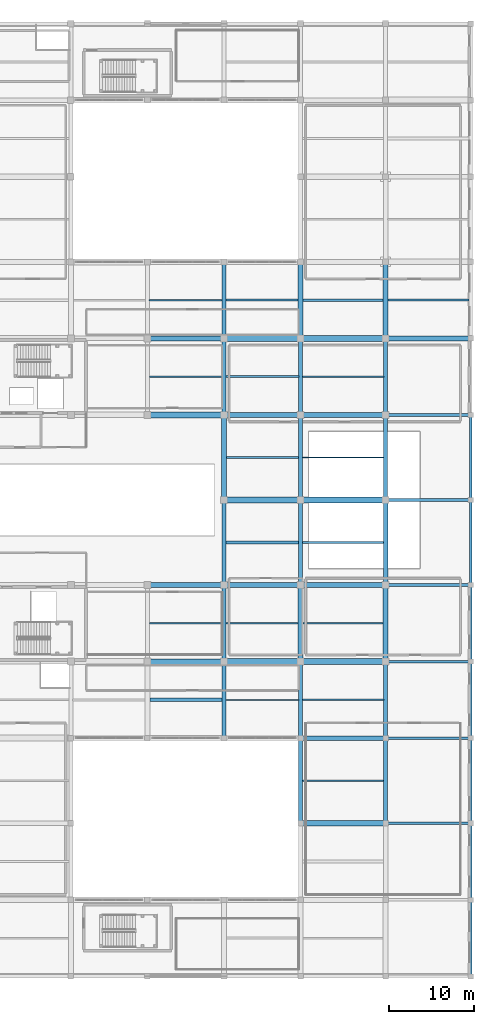
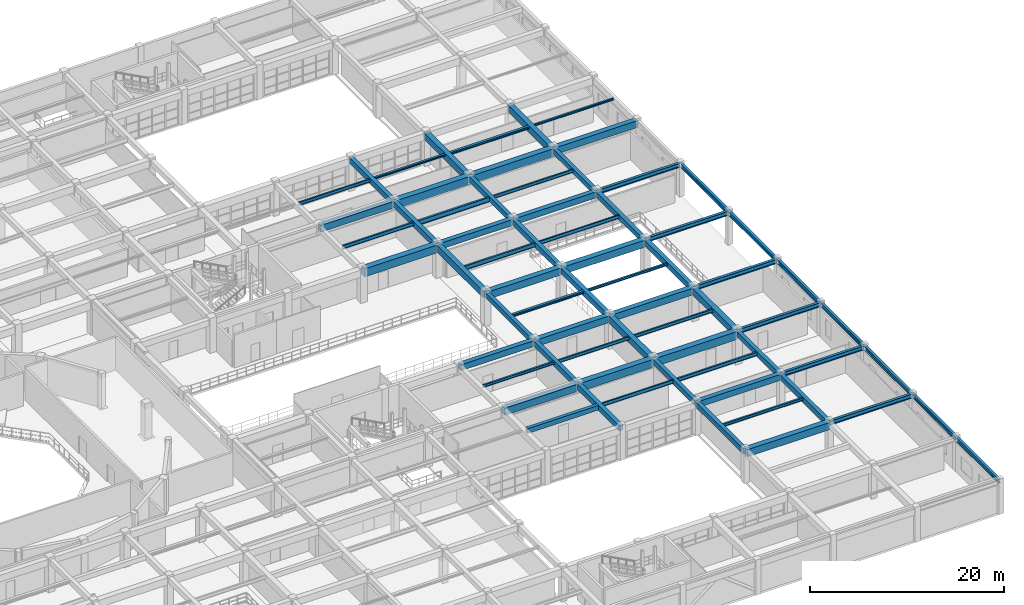
# One storey, part 82 of 133: 68 beams.
"""IFC4 building model written with IfcOpenShell, lengths in metres."""

from ifc_helpers import new_model, si_unit, direction, frame, origin, origin_2d, place, context, subcontext, project, spatial, rectangle, i_section, extrude, material, material_profile, profile_set, type_object, element, save


model = new_model("IFC4")

# Units and contexts
model_context = context("Model", 3, precision=1e-05, world=origin(), true_north=direction((0.0, 1.0)))
body_context = subcontext(model_context, "Body", "Model", "MODEL_VIEW")
ifc_project = project(units=[si_unit("LENGTHUNIT", "METRE"), si_unit("AREAUNIT", "SQUARE_METRE"), si_unit("VOLUMEUNIT", "CUBIC_METRE"), si_unit("PLANEANGLEUNIT", "RADIAN"), si_unit("MASSUNIT", "GRAM", prefix="KILO")], contexts=[model_context])

# Site, building, storey
site_placement = place(None, origin())
site = spatial("IfcSite", under=ifc_project, at=site_placement, CompositionType="ELEMENT")
building_placement = place(site_placement, origin())
building = spatial("IfcBuilding", under=site, at=building_placement, Name="Miravela Opera House", CompositionType="ELEMENT")
storey_placement = place(building_placement, frame((0.0, 0.0, 5.10009765625)))
storey = spatial("IfcBuildingStorey", under=building, at=storey_placement, Name="L01", CompositionType="ELEMENT", Elevation=5.10009765625)

# Beams
ifc_material_1 = material(Name="Concrete C35/45", Category="concrete")
ifc_material_profile_1 = material_profile(ifc_material_1, rectangle(XDim=0.39990234375, YDim=0.60009765625, at=origin_2d()), Name="RC-BM-400X600")
ifc_profile_set_1 = profile_set([ifc_material_profile_1])
beam_type_1 = type_object("IfcBeamType", Name="STR-BM-RC400X600", PredefinedType="JOIST", material=ifc_profile_set_1)
beam_1_placement = place(storey_placement, frame((126.284912109375, 32.5, 3.85986328125), z_axis=(1.0, 0.0, 0.0), x_axis=(0.0, 1.0, 0.0)))
element("IfcBeam", 1, at=beam_1_placement, inside=storey, type_object=beam_type_1, Name="Secondary Floor Joist L01 15-16/D-E", PredefinedType="JOIST", context=body_context, shape_type="SweptSolid", body=[
    extrude(rectangle(XDim=0.39990234375, YDim=0.60009765625, at=origin_2d()), origin(), (0.0, 0.0, 1.0), 8.47998046875),
])
ifc_material_profile_2 = material_profile(ifc_material_1, rectangle(XDim=0.449951171875, YDim=0.64990234375, at=origin_2d()), Name="RC-BM-450X650")
ifc_profile_set_2 = profile_set([ifc_material_profile_2])
beam_type_2 = type_object("IfcBeamType", Name="STR-BM-RC450X650", PredefinedType="BEAM", material=ifc_profile_set_2)
beam_2_placement = place(storey_placement, frame((135.0, 46.080078125, 3.8349609375), z_axis=(0.0, 1.0, 0.0), x_axis=(-1.0, 0.0, 0.0)))
element("IfcBeam", 2, at=beam_2_placement, inside=storey, type_object=beam_type_2, Name="Floor Girder L01 16/F-G", PredefinedType="BEAM", context=body_context, shape_type="SweptSolid", body=[
    extrude(rectangle(XDim=0.449951171875, YDim=0.64990234375, at=origin_2d()), origin(), (0.0, 0.0, 1.0), 9.83984375),
])
for number, where, z_axis, x_axis, name in (
    (3, (144.0, 28.080078125, 3.8349609375), (0.0, 1.0, 0.0), (-1.0, 0.0, 0.0), "Floor Girder L01 17/D-E"),
    (4, (144.0, 66.080078125, 3.8349609375), (0.0, 1.0, 0.0), (-1.0, 0.0, 0.0), "Floor Girder L01 17/H-I"),
    (5, (154.0, 28.080078125, 3.8349609375), (0.0, 1.0, 0.0), (-1.0, 0.0, 0.0), "Floor Girder L01 18/D-E"),
    (6, (154.0, 66.080078125, 3.8349609375), (0.0, 1.0, 0.0), (-1.0, 0.0, 0.0), "Floor Girder L01 18/H-I"),
):
    element("IfcBeam", number, at=place(storey_placement, frame(where, z_axis=z_axis, x_axis=x_axis)), inside=storey, type_object=beam_type_2, Name=name, PredefinedType="BEAM", context=body_context, shape_type="SweptSolid", body=[
        extrude(rectangle(XDim=0.449951171875, YDim=0.64990234375, at=origin_2d()), origin(), (0.0, 0.0, 1.0), 8.83984375),
    ])
ifc_material_profile_3 = material_profile(ifc_material_1, rectangle(XDim=0.47998046875, YDim=0.679931640625, at=origin_2d()), Name="RC-BM-480X680")
ifc_profile_set_3 = profile_set([ifc_material_profile_3])
beam_type_3 = type_object("IfcBeamType", Name="STR-BM-RC480X680", PredefinedType="BEAM", material=ifc_profile_set_3)
for number, where, z_axis, x_axis, name in (
    (7, (135.0, 37.080078125, 3.81982421875), (0.0, 1.0, 0.0), (-1.0, 0.0, 0.0), "Floor Girder L01 16/E-F"),
    (8, (135.0, 75.080078125, 3.81982421875), (0.0, 1.0, 0.0), (-1.0, 0.0, 0.0), "Floor Girder L01 16/I-J"),
):
    element("IfcBeam", number, at=place(storey_placement, frame(where, z_axis=z_axis, x_axis=x_axis)), inside=storey, type_object=beam_type_3, Name=name, PredefinedType="BEAM", context=body_context, shape_type="SweptSolid", body=[
        extrude(rectangle(XDim=0.47998046875, YDim=0.679931640625, at=origin_2d()), origin(), (0.0, 0.0, 1.0), 8.83984375),
    ])
for number, where, z_axis, x_axis, name in (
    (9, (144.0, 18.080078125, 3.81982421875), (0.0, 1.0, 0.0), (-1.0, 0.0, 0.0), "Floor Girder L01 17/C-D"),
    (10, (144.0, 56.080078125, 3.81982421875), (0.0, 1.0, 0.0), (-1.0, 0.0, 0.0), "Floor Girder L01 17/G-H"),
    (11, (154.0, 18.080078125, 3.81982421875), (0.0, 1.0, 0.0), (-1.0, 0.0, 0.0), "Floor Girder L01 18/C-D"),
    (12, (154.0, 56.080078125, 3.81982421875), (0.0, 1.0, 0.0), (-1.0, 0.0, 0.0), "Floor Girder L01 18/G-H"),
):
    element("IfcBeam", number, at=place(storey_placement, frame(where, z_axis=z_axis, x_axis=x_axis)), inside=storey, type_object=beam_type_3, Name=name, PredefinedType="BEAM", context=body_context, shape_type="SweptSolid", body=[
        extrude(rectangle(XDim=0.47998046875, YDim=0.679931640625, at=origin_2d()), origin(), (0.0, 0.0, 1.0), 9.83984375),
    ])
ifc_material_profile_4 = material_profile(ifc_material_1, rectangle(XDim=0.5, YDim=0.699951171875, at=origin_2d()), Name="RC-BM-500X700")
ifc_profile_set_4 = profile_set([ifc_material_profile_4])
beam_type_4 = type_object("IfcBeamType", Name="STR-BM-RC500X700", PredefinedType="BEAM", material=ifc_profile_set_4)
for number, where, z_axis, x_axis, name in (
    (13, (135.0, 28.080078125, 3.809814453125), (0.0, 1.0, 0.0), (-1.0, 0.0, 0.0), "Floor Girder L01 16/D-E"),
    (14, (135.0, 66.080078125, 3.809814453125), (0.0, 1.0, 0.0), (-1.0, 0.0, 0.0), "Floor Girder L01 16/H-I"),
):
    element("IfcBeam", number, at=place(storey_placement, frame(where, z_axis=z_axis, x_axis=x_axis)), inside=storey, type_object=beam_type_4, Name=name, PredefinedType="BEAM", context=body_context, shape_type="SweptSolid", body=[
        extrude(rectangle(XDim=0.5, YDim=0.699951171875, at=origin_2d()), origin(), (0.0, 0.0, 1.0), 8.83984375),
    ])
for number, where, z_axis, x_axis, name in (
    (15, (144.0, 46.080078125, 3.809814453125), (0.0, 1.0, 0.0), (-1.0, 0.0, 0.0), "Floor Girder L01 17/F-G"),
    (16, (154.0, 46.080078125, 3.809814453125), (0.0, 1.0, 0.0), (-1.0, 0.0, 0.0), "Floor Girder L01 18/F-G"),
):
    element("IfcBeam", number, at=place(storey_placement, frame(where, z_axis=z_axis, x_axis=x_axis)), inside=storey, type_object=beam_type_4, Name=name, PredefinedType="BEAM", context=body_context, shape_type="SweptSolid", body=[
        extrude(rectangle(XDim=0.5, YDim=0.699951171875, at=origin_2d()), origin(), (0.0, 0.0, 1.0), 9.83984375),
    ])
ifc_material_profile_5 = material_profile(ifc_material_1, rectangle(XDim=0.550048828125, YDim=0.75, at=origin_2d()), Name="RC-BM-550X750")
ifc_profile_set_5 = profile_set([ifc_material_profile_5])
beam_type_5 = type_object("IfcBeamType", Name="STR-BM-RC550X750", PredefinedType="BEAM", material=ifc_profile_set_5)
for number, where, z_axis, x_axis, name in (
    (17, (126.080078125, 46.0, 3.784912109375), (1.0, 0.0, 0.0), (0.0, 1.0, 0.0), "Floor Girder L01 15-16/F"),
    (18, (135.080078125, 66.0, 3.784912109375), (1.0, 0.0, 0.0), (0.0, 1.0, 0.0), "Floor Girder L01 16-17/H"),
):
    element("IfcBeam", number, at=place(storey_placement, frame(where, z_axis=z_axis, x_axis=x_axis)), inside=storey, type_object=beam_type_5, Name=name, PredefinedType="BEAM", context=body_context, shape_type="SweptSolid", body=[
        extrude(rectangle(XDim=0.550048828125, YDim=0.75, at=origin_2d()), origin(), (0.0, 0.0, 1.0), 8.83984375),
    ])
for number, where, z_axis, x_axis, name in (
    (19, (144.080078125, 28.0, 3.784912109375), (1.0, 0.0, 0.0), (0.0, 1.0, 0.0), "Floor Girder L01 17-18/D"),
    (20, (144.080078125, 66.0, 3.784912109375), (1.0, 0.0, 0.0), (0.0, 1.0, 0.0), "Floor Girder L01 17-18/H"),
):
    element("IfcBeam", number, at=place(storey_placement, frame(where, z_axis=z_axis, x_axis=x_axis)), inside=storey, type_object=beam_type_5, Name=name, PredefinedType="BEAM", context=body_context, shape_type="SweptSolid", body=[
        extrude(rectangle(XDim=0.550048828125, YDim=0.75, at=origin_2d()), origin(), (0.0, 0.0, 1.0), 9.83984375),
    ])
ifc_material_2 = material(Name="Concrete C40/50", Category="concrete")
ifc_material_profile_6 = material_profile(ifc_material_2, rectangle(XDim=0.60009765625, YDim=0.85009765625, at=origin_2d()), Name="RC-BM-600X850")
ifc_profile_set_6 = profile_set([ifc_material_profile_6])
beam_type_6 = type_object("IfcBeamType", Name="STR-BM-RC600X850", PredefinedType="BEAM", material=ifc_profile_set_6)
for number, where, z_axis, x_axis, name in (
    (21, (126.080078125, 75.0, 3.73486328125), (1.0, 0.0, 0.0), (0.0, 1.0, 0.0), "Floor Girder L01 15-16/I"),
    (22, (135.080078125, 46.0, 3.73486328125), (1.0, 0.0, 0.0), (0.0, 1.0, 0.0), "Floor Girder L01 16-17/F"),
):
    element("IfcBeam", number, at=place(storey_placement, frame(where, z_axis=z_axis, x_axis=x_axis)), inside=storey, type_object=beam_type_6, Name=name, PredefinedType="BEAM", context=body_context, shape_type="SweptSolid", body=[
        extrude(rectangle(XDim=0.60009765625, YDim=0.85009765625, at=origin_2d()), origin(), (0.0, 0.0, 1.0), 8.83984375),
    ])
for number, where, z_axis, x_axis, name in (
    (23, (144.080078125, 46.0, 3.73486328125), (1.0, 0.0, 0.0), (0.0, 1.0, 0.0), "Floor Girder L01 17-18/F"),
    (24, (154.080078125, 75.0, 3.73486328125), (1.0, 0.0, 0.0), (0.0, 1.0, 0.0), "Floor Girder L01 18-19/I"),
    (25, (135.0, 56.080078125, 3.73486328125), (0.0, 1.0, 0.0), (-1.0, 0.0, 0.0), "Floor Girder L01 16/G-H"),
):
    element("IfcBeam", number, at=place(storey_placement, frame(where, z_axis=z_axis, x_axis=x_axis)), inside=storey, type_object=beam_type_6, Name=name, PredefinedType="BEAM", context=body_context, shape_type="SweptSolid", body=[
        extrude(rectangle(XDim=0.60009765625, YDim=0.85009765625, at=origin_2d()), origin(), (0.0, 0.0, 1.0), 9.83984375),
    ])
for number, where, z_axis, x_axis, name in (
    (26, (144.0, 37.080078125, 3.73486328125), (0.0, 1.0, 0.0), (-1.0, 0.0, 0.0), "Floor Girder L01 17/E-F"),
    (27, (144.0, 75.080078125, 3.73486328125), (0.0, 1.0, 0.0), (-1.0, 0.0, 0.0), "Floor Girder L01 17/I-J"),
    (28, (154.0, 37.080078125, 3.73486328125), (0.0, 1.0, 0.0), (-1.0, 0.0, 0.0), "Floor Girder L01 18/E-F"),
    (29, (154.0, 75.080078125, 3.73486328125), (0.0, 1.0, 0.0), (-1.0, 0.0, 0.0), "Floor Girder L01 18/I-J"),
):
    element("IfcBeam", number, at=place(storey_placement, frame(where, z_axis=z_axis, x_axis=x_axis)), inside=storey, type_object=beam_type_6, Name=name, PredefinedType="BEAM", context=body_context, shape_type="SweptSolid", body=[
        extrude(rectangle(XDim=0.60009765625, YDim=0.85009765625, at=origin_2d()), origin(), (0.0, 0.0, 1.0), 8.83984375),
    ])
ifc_material_profile_7 = material_profile(ifc_material_2, rectangle(XDim=0.64990234375, YDim=0.89990234375, at=origin_2d()), Name="RC-BM-650X900")
ifc_profile_set_7 = profile_set([ifc_material_profile_7])
beam_type_7 = type_object("IfcBeamType", Name="STR-BM-RC650X900", PredefinedType="BEAM", material=ifc_profile_set_7)
for number, where, z_axis, x_axis, name in (
    (30, (126.080078125, 37.0, 3.7099609375), (1.0, 0.0, 0.0), (0.0, 1.0, 0.0), "Floor Girder L01 15-16/E"),
    (31, (135.080078125, 56.0, 3.7099609375), (1.0, 0.0, 0.0), (0.0, 1.0, 0.0), "Floor Girder L01 16-17/G"),
):
    element("IfcBeam", number, at=place(storey_placement, frame(where, z_axis=z_axis, x_axis=x_axis)), inside=storey, type_object=beam_type_7, Name=name, PredefinedType="BEAM", context=body_context, shape_type="SweptSolid", body=[
        extrude(rectangle(XDim=0.64990234375, YDim=0.89990234375, at=origin_2d()), origin(), (0.0, 0.0, 1.0), 8.83984375),
    ])
for number, where, z_axis, x_axis, name in (
    (32, (144.080078125, 18.0, 3.7099609375), (1.0, 0.0, 0.0), (0.0, 1.0, 0.0), "Floor Girder L01 17-18/C"),
    (33, (144.080078125, 56.0, 3.7099609375), (1.0, 0.0, 0.0), (0.0, 1.0, 0.0), "Floor Girder L01 17-18/G"),
):
    element("IfcBeam", number, at=place(storey_placement, frame(where, z_axis=z_axis, x_axis=x_axis)), inside=storey, type_object=beam_type_7, Name=name, PredefinedType="BEAM", context=body_context, shape_type="SweptSolid", body=[
        extrude(rectangle(XDim=0.64990234375, YDim=0.89990234375, at=origin_2d()), origin(), (0.0, 0.0, 1.0), 9.83984375),
    ])
ifc_material_profile_8 = material_profile(ifc_material_2, rectangle(XDim=0.699951171875, YDim=1.0, at=origin_2d()), Name="RC-BM-700X1000")
ifc_profile_set_8 = profile_set([ifc_material_profile_8])
beam_type_8 = type_object("IfcBeamType", Name="STR-BM-RC700X1000", PredefinedType="BEAM", material=ifc_profile_set_8)
for number, where, z_axis, x_axis, name in (
    (34, (126.080078125, 66.0, 3.659912109375), (1.0, 0.0, 0.0), (0.0, 1.0, 0.0), "Floor Girder L01 15-16/H"),
    (35, (135.080078125, 37.0, 3.659912109375), (1.0, 0.0, 0.0), (0.0, 1.0, 0.0), "Floor Girder L01 16-17/E"),
    (36, (135.080078125, 75.0, 3.659912109375), (1.0, 0.0, 0.0), (0.0, 1.0, 0.0), "Floor Girder L01 16-17/I"),
):
    element("IfcBeam", number, at=place(storey_placement, frame(where, z_axis=z_axis, x_axis=x_axis)), inside=storey, type_object=beam_type_8, Name=name, PredefinedType="BEAM", context=body_context, shape_type="SweptSolid", body=[
        extrude(rectangle(XDim=0.699951171875, YDim=1.0, at=origin_2d()), origin(), (0.0, 0.0, 1.0), 8.83984375),
    ])
for number, where, z_axis, x_axis, name in (
    (37, (144.080078125, 37.0, 3.659912109375), (1.0, 0.0, 0.0), (0.0, 1.0, 0.0), "Floor Girder L01 17-18/E"),
    (38, (144.080078125, 75.0, 3.659912109375), (1.0, 0.0, 0.0), (0.0, 1.0, 0.0), "Floor Girder L01 17-18/I"),
):
    element("IfcBeam", number, at=place(storey_placement, frame(where, z_axis=z_axis, x_axis=x_axis)), inside=storey, type_object=beam_type_8, Name=name, PredefinedType="BEAM", context=body_context, shape_type="SweptSolid", body=[
        extrude(rectangle(XDim=0.699951171875, YDim=1.0, at=origin_2d()), origin(), (0.0, 0.0, 1.0), 9.83984375),
    ])
ifc_material_3 = material(Name="Structural steel ASTM A992 Gr. 50", Category="steel")
ifc_material_profile_9 = material_profile(ifc_material_3, i_section(OverallWidth=0.201904296875, OverallDepth=0.2470703125, WebThickness=0.00732421875, FlangeThickness=0.010986328125, FilletRadius=0.011962890625, at=origin_2d()), Name="W250X49")
ifc_profile_set_9 = profile_set([ifc_material_profile_9])
beam_type_9 = type_object("IfcBeamType", Name="STR-BM-W250X49", PredefinedType="LINTEL", material=ifc_profile_set_9)
beam_3_placement = place(storey_placement, frame((154.284912109375, 79.5, 4.036376953125), z_axis=(1.0, 0.0, 0.0), x_axis=(0.0, 1.0, 0.0)))
element("IfcBeam", 39, at=beam_3_placement, inside=storey, type_object=beam_type_9, Name="Secondary Floor Joist L01 18-19/I-J", PredefinedType="LINTEL", context=body_context, shape_type="SweptSolid", body=[
    extrude(i_section(OverallWidth=0.201904296875, OverallDepth=0.2470703125, WebThickness=0.00732421875, FlangeThickness=0.010986328125, FilletRadius=0.011962890625, at=origin_2d()), origin(), (0.0, 0.0, 1.0), 9.530029296875),
])
ifc_material_profile_10 = material_profile(ifc_material_3, i_section(OverallWidth=0.25390625, OverallDepth=0.2529296875, WebThickness=0.008544921875, FlangeThickness=0.01416015625, FilletRadius=0.011962890625, at=origin_2d()), Name="W250X73")
ifc_profile_set_10 = profile_set([ifc_material_profile_10])
beam_type_10 = type_object("IfcBeamType", Name="STR-BM-W250X73", PredefinedType="JOIST", material=ifc_profile_set_10)
beam_4_placement = place(storey_placement, frame((135.22509765625, 79.5, 4.033447265625), z_axis=(1.0, 0.0, 0.0), x_axis=(0.0, 1.0, 0.0)))
element("IfcBeam", 40, at=beam_4_placement, inside=storey, type_object=beam_type_10, Name="Secondary Floor Joist L01 16-17/I-J", PredefinedType="JOIST", context=body_context, shape_type="SweptSolid", body=[
    extrude(i_section(OverallWidth=0.25390625, OverallDepth=0.2529296875, WebThickness=0.008544921875, FlangeThickness=0.01416015625, FilletRadius=0.011962890625, at=origin_2d()), origin(), (0.0, 0.0, 1.0), 8.489990234375),
])
ifc_material_profile_11 = material_profile(ifc_material_3, i_section(OverallWidth=0.202880859375, OverallDepth=0.302978515625, WebThickness=0.007568359375, FlangeThickness=0.01318359375, FilletRadius=0.012939453125, at=origin_2d()), Name="W310X60")
ifc_profile_set_11 = profile_set([ifc_material_profile_11])
beam_type_11 = type_object("IfcBeamType", Name="STR-BM-W310X60", PredefinedType="JOIST", material=ifc_profile_set_11)
beam_5_placement = place(storey_placement, frame((144.235107421875, 51.0, 4.00830078125), z_axis=(1.0, 0.0, 0.0), x_axis=(0.0, 1.0, 0.0)))
element("IfcBeam", 41, at=beam_5_placement, inside=storey, type_object=beam_type_11, Name="Secondary Floor Joist L01 17-18/F-G", PredefinedType="JOIST", context=body_context, shape_type="SweptSolid", body=[
    extrude(i_section(OverallWidth=0.202880859375, OverallDepth=0.302978515625, WebThickness=0.007568359375, FlangeThickness=0.01318359375, FilletRadius=0.012939453125, at=origin_2d()), origin(), (0.0, 0.0, 1.0), 9.52978515625),
])
ifc_material_profile_12 = material_profile(ifc_material_3, i_section(OverallWidth=0.304931640625, OverallDepth=0.30810546875, WebThickness=0.010009765625, FlangeThickness=0.015380859375, FilletRadius=0.013916015625, at=origin_2d()), Name="W310X97")
ifc_profile_set_12 = profile_set([ifc_material_profile_12])
beam_type_12 = type_object("IfcBeamType", Name="STR-BM-W310X97", PredefinedType="JOIST", material=ifc_profile_set_12)
beam_6_placement = place(storey_placement, frame((135.2099609375, 51.0, 4.005859375), z_axis=(1.0, 0.0, 0.0), x_axis=(0.0, 1.0, 0.0)))
element("IfcBeam", 42, at=beam_6_placement, inside=storey, type_object=beam_type_12, Name="Secondary Floor Joist L01 16-17/F-G", PredefinedType="JOIST", context=body_context, shape_type="SweptSolid", body=[
    extrude(i_section(OverallWidth=0.304931640625, OverallDepth=0.30810546875, WebThickness=0.010009765625, FlangeThickness=0.015380859375, FilletRadius=0.013916015625, at=origin_2d()), origin(), (0.0, 0.0, 1.0), 8.554931640625),
])
beam_7_placement = place(storey_placement, frame((144.284912109375, 79.5, 4.005859375), z_axis=(1.0, 0.0, 0.0), x_axis=(0.0, 1.0, 0.0)))
element("IfcBeam", 43, at=beam_7_placement, inside=storey, type_object=beam_type_12, Name="Secondary Floor Joist L01 17-18/I-J", PredefinedType="JOIST", context=body_context, shape_type="SweptSolid", body=[
    extrude(i_section(OverallWidth=0.304931640625, OverallDepth=0.30810546875, WebThickness=0.010009765625, FlangeThickness=0.015380859375, FilletRadius=0.013916015625, at=origin_2d()), origin(), (0.0, 0.0, 1.0), 9.43017578125),
])
ifc_material_profile_13 = material_profile(ifc_material_3, i_section(OverallWidth=0.2041015625, OverallDepth=0.35009765625, WebThickness=0.008544921875, FlangeThickness=0.01513671875, FilletRadius=0.013916015625, at=origin_2d()), Name="W360X72")
ifc_profile_set_13 = profile_set([ifc_material_profile_13])
beam_type_13 = type_object("IfcBeamType", Name="STR-BM-W360X72", PredefinedType="JOIST", material=ifc_profile_set_13)
beam_8_placement = place(storey_placement, frame((126.235107421875, 41.5, 3.98486328125), z_axis=(1.0, 0.0, 0.0), x_axis=(0.0, 1.0, 0.0)))
element("IfcBeam", 44, at=beam_8_placement, inside=storey, type_object=beam_type_13, Name="Secondary Floor Joist L01 15-16/E-F", PredefinedType="JOIST", context=body_context, shape_type="SweptSolid", body=[
    extrude(i_section(OverallWidth=0.2041015625, OverallDepth=0.35009765625, WebThickness=0.008544921875, FlangeThickness=0.01513671875, FilletRadius=0.013916015625, at=origin_2d()), origin(), (0.0, 0.0, 1.0), 8.539794921875),
])
beam_9_placement = place(storey_placement, frame((144.22509765625, 23.0, 3.98486328125), z_axis=(1.0, 0.0, 0.0), x_axis=(0.0, 1.0, 0.0)))
element("IfcBeam", 45, at=beam_9_placement, inside=storey, type_object=beam_type_13, Name="Secondary Floor Joist L01 17-18/C-D", PredefinedType="JOIST", context=body_context, shape_type="SweptSolid", body=[
    extrude(i_section(OverallWidth=0.2041015625, OverallDepth=0.35009765625, WebThickness=0.008544921875, FlangeThickness=0.01513671875, FilletRadius=0.013916015625, at=origin_2d()), origin(), (0.0, 0.0, 1.0), 9.5498046875),
])
ifc_material_profile_14 = material_profile(ifc_material_3, i_section(OverallWidth=0.177978515625, OverallDepth=0.406982421875, WebThickness=0.0078125, FlangeThickness=0.0126953125, FilletRadius=0.012939453125, at=origin_2d()), Name="W410X60")
ifc_profile_set_14 = profile_set([ifc_material_profile_14])
beam_type_14 = type_object("IfcBeamType", Name="STR-BM-W410X60", PredefinedType="JOIST", material=ifc_profile_set_14)
beam_10_placement = place(storey_placement, frame((135.22509765625, 41.5, 3.956298828125), z_axis=(1.0, 0.0, 0.0), x_axis=(0.0, 1.0, 0.0)))
element("IfcBeam", 46, at=beam_10_placement, inside=storey, type_object=beam_type_14, Name="Secondary Floor Joist L01 16-17/E-F", PredefinedType="JOIST", context=body_context, shape_type="SweptSolid", body=[
    extrude(i_section(OverallWidth=0.177978515625, OverallDepth=0.406982421875, WebThickness=0.0078125, FlangeThickness=0.0126953125, FilletRadius=0.012939453125, at=origin_2d()), origin(), (0.0, 0.0, 1.0), 8.489990234375),
])
beam_11_placement = place(storey_placement, frame((144.2099609375, 70.5, 3.956298828125), z_axis=(1.0, 0.0, 0.0), x_axis=(0.0, 1.0, 0.0)))
element("IfcBeam", 47, at=beam_11_placement, inside=storey, type_object=beam_type_14, Name="Secondary Floor Joist L01 17-18/H-I", PredefinedType="JOIST", context=body_context, shape_type="SweptSolid", body=[
    extrude(i_section(OverallWidth=0.177978515625, OverallDepth=0.406982421875, WebThickness=0.0078125, FlangeThickness=0.0126953125, FilletRadius=0.012939453125, at=origin_2d()), origin(), (0.0, 0.0, 1.0), 9.580078125),
])
ifc_material_profile_15 = material_profile(ifc_material_3, i_section(OverallWidth=0.180908203125, OverallDepth=0.4169921875, WebThickness=0.010986328125, FlangeThickness=0.018310546875, FilletRadius=0.013916015625, at=origin_2d()), Name="W410X85")
ifc_profile_set_15 = profile_set([ifc_material_profile_15])
beam_type_15 = type_object("IfcBeamType", Name="STR-BM-W410X85", PredefinedType="JOIST", material=ifc_profile_set_15)
beam_12_placement = place(storey_placement, frame((126.2099609375, 79.5, 3.951416015625), z_axis=(1.0, 0.0, 0.0), x_axis=(0.0, 1.0, 0.0)))
element("IfcBeam", 48, at=beam_12_placement, inside=storey, type_object=beam_type_15, Name="Secondary Floor Joist L01 15-16/I-J", PredefinedType="JOIST", context=body_context, shape_type="SweptSolid", body=[
    extrude(i_section(OverallWidth=0.180908203125, OverallDepth=0.4169921875, WebThickness=0.010986328125, FlangeThickness=0.018310546875, FilletRadius=0.013916015625, at=origin_2d()), origin(), (0.0, 0.0, 1.0), 8.56494140625),
])
beam_13_placement = place(storey_placement, frame((144.284912109375, 41.5, 3.951416015625), z_axis=(1.0, 0.0, 0.0), x_axis=(0.0, 1.0, 0.0)))
element("IfcBeam", 49, at=beam_13_placement, inside=storey, type_object=beam_type_15, Name="Secondary Floor Joist L01 17-18/E-F", PredefinedType="JOIST", context=body_context, shape_type="SweptSolid", body=[
    extrude(i_section(OverallWidth=0.180908203125, OverallDepth=0.4169921875, WebThickness=0.010986328125, FlangeThickness=0.018310546875, FilletRadius=0.013916015625, at=origin_2d()), origin(), (0.0, 0.0, 1.0), 9.43017578125),
])
ifc_material_profile_16 = material_profile(ifc_material_3, i_section(OverallWidth=0.154052734375, OverallDepth=0.458984375, WebThickness=0.009033203125, FlangeThickness=0.015380859375, FilletRadius=0.013916015625, at=origin_2d()), Name="W460X68")
ifc_profile_set_16 = profile_set([ifc_material_profile_16])
beam_type_16 = type_object("IfcBeamType", Name="STR-BM-W460X68", PredefinedType="JOIST", material=ifc_profile_set_16)
beam_14_placement = place(storey_placement, frame((135.235107421875, 32.5, 3.930419921875), z_axis=(1.0, 0.0, 0.0), x_axis=(0.0, 1.0, 0.0)))
element("IfcBeam", 50, at=beam_14_placement, inside=storey, type_object=beam_type_16, Name="Secondary Floor Joist L01 16-17/D-E", PredefinedType="JOIST", context=body_context, shape_type="SweptSolid", body=[
    extrude(i_section(OverallWidth=0.154052734375, OverallDepth=0.458984375, WebThickness=0.009033203125, FlangeThickness=0.015380859375, FilletRadius=0.013916015625, at=origin_2d()), origin(), (0.0, 0.0, 1.0), 8.554931640625),
])
beam_15_placement = place(storey_placement, frame((144.22509765625, 61.0, 3.930419921875), z_axis=(1.0, 0.0, 0.0), x_axis=(0.0, 1.0, 0.0)))
element("IfcBeam", 51, at=beam_15_placement, inside=storey, type_object=beam_type_16, Name="Secondary Floor Joist L01 17-18/G-H", PredefinedType="JOIST", context=body_context, shape_type="SweptSolid", body=[
    extrude(i_section(OverallWidth=0.154052734375, OverallDepth=0.458984375, WebThickness=0.009033203125, FlangeThickness=0.015380859375, FilletRadius=0.013916015625, at=origin_2d()), origin(), (0.0, 0.0, 1.0), 9.5498046875),
])
ifc_material_profile_17 = material_profile(ifc_material_3, i_section(OverallWidth=0.19091796875, OverallDepth=0.4599609375, WebThickness=0.010009765625, FlangeThickness=0.01611328125, FilletRadius=0.014892578125, at=origin_2d()), Name="W460X82")
ifc_profile_set_17 = profile_set([ifc_material_profile_17])
beam_type_17 = type_object("IfcBeamType", Name="STR-BM-W460X82", PredefinedType="JOIST", material=ifc_profile_set_17)
beam_16_placement = place(storey_placement, frame((126.22509765625, 70.5, 3.929931640625), z_axis=(1.0, 0.0, 0.0), x_axis=(0.0, 1.0, 0.0)))
element("IfcBeam", 52, at=beam_16_placement, inside=storey, type_object=beam_type_17, Name="Secondary Floor Joist L01 15-16/H-I", PredefinedType="JOIST", context=body_context, shape_type="SweptSolid", body=[
    extrude(i_section(OverallWidth=0.19091796875, OverallDepth=0.4599609375, WebThickness=0.010009765625, FlangeThickness=0.01611328125, FilletRadius=0.014892578125, at=origin_2d()), origin(), (0.0, 0.0, 1.0), 8.539794921875),
])
beam_17_placement = place(storey_placement, frame((144.2099609375, 32.5, 3.929931640625), z_axis=(1.0, 0.0, 0.0), x_axis=(0.0, 1.0, 0.0)))
element("IfcBeam", 53, at=beam_17_placement, inside=storey, type_object=beam_type_17, Name="Secondary Floor Joist L01 17-18/D-E", PredefinedType="JOIST", context=body_context, shape_type="SweptSolid", body=[
    extrude(i_section(OverallWidth=0.19091796875, OverallDepth=0.4599609375, WebThickness=0.010009765625, FlangeThickness=0.01611328125, FilletRadius=0.014892578125, at=origin_2d()), origin(), (0.0, 0.0, 1.0), 9.580078125),
])
ifc_material_profile_18 = material_profile(ifc_material_3, i_section(OverallWidth=0.31201171875, OverallDepth=0.54296875, WebThickness=0.0126953125, FlangeThickness=0.020263671875, FilletRadius=0.01611328125, at=origin_2d()), Name="W530X150")
ifc_profile_set_18 = profile_set([ifc_material_profile_18])
beam_type_18 = type_object("IfcBeamType", Name="STR-BM-W530X150", PredefinedType="BEAM", material=ifc_profile_set_18)
for number, where, z_axis, x_axis, name in (
    (54, (164.0, 0.080078125, 3.908447265625), (0.0, 1.0, 0.0), (-1.0, 0.0, 0.0), "Roof Eave Girder ROOF-V4-FAR-E E1"),
    (55, (164.0, 9.080078125, 3.908447265625), (0.0, 1.0, 0.0), (-1.0, 0.0, 0.0), "Roof Eave Girder ROOF-V4-FAR-E E2"),
):
    element("IfcBeam", number, at=place(storey_placement, frame(where, z_axis=z_axis, x_axis=x_axis)), inside=storey, type_object=beam_type_18, Name=name, PredefinedType="BEAM", context=body_context, shape_type="SweptSolid", body=[
        extrude(i_section(OverallWidth=0.31201171875, OverallDepth=0.54296875, WebThickness=0.0126953125, FlangeThickness=0.020263671875, FilletRadius=0.01611328125, at=origin_2d()), origin(), (0.0, 0.0, 1.0), 8.83984375),
    ])
beam_18_placement = place(storey_placement, frame((164.0, 18.080078125, 3.908447265625), z_axis=(0.0, 1.0, 0.0), x_axis=(-1.0, 0.0, 0.0)))
element("IfcBeam", 56, at=beam_18_placement, inside=storey, type_object=beam_type_18, Name="Roof Eave Girder ROOF-V4-FAR-E E3", PredefinedType="BEAM", context=body_context, shape_type="SweptSolid", body=[
    extrude(i_section(OverallWidth=0.31201171875, OverallDepth=0.54296875, WebThickness=0.0126953125, FlangeThickness=0.020263671875, FilletRadius=0.01611328125, at=origin_2d()), origin(), (0.0, 0.0, 1.0), 9.83984375),
])
for number, where, z_axis, x_axis, name in (
    (57, (164.0, 28.080078125, 3.908447265625), (0.0, 1.0, 0.0), (-1.0, 0.0, 0.0), "Roof Eave Girder ROOF-V4-FAR-E E4"),
    (58, (164.0, 37.080078125, 3.908447265625), (0.0, 1.0, 0.0), (-1.0, 0.0, 0.0), "Roof Eave Girder ROOF-V4-FAR-E E5"),
):
    element("IfcBeam", number, at=place(storey_placement, frame(where, z_axis=z_axis, x_axis=x_axis)), inside=storey, type_object=beam_type_18, Name=name, PredefinedType="BEAM", context=body_context, shape_type="SweptSolid", body=[
        extrude(i_section(OverallWidth=0.31201171875, OverallDepth=0.54296875, WebThickness=0.0126953125, FlangeThickness=0.020263671875, FilletRadius=0.01611328125, at=origin_2d()), origin(), (0.0, 0.0, 1.0), 8.83984375),
    ])
for number, where, z_axis, x_axis, name in (
    (59, (164.0, 46.080078125, 3.908447265625), (0.0, 1.0, 0.0), (-1.0, 0.0, 0.0), "Roof Eave Girder ROOF-V4-FAR-E E6"),
    (60, (164.0, 56.080078125, 3.908447265625), (0.0, 1.0, 0.0), (-1.0, 0.0, 0.0), "Roof Eave Girder ROOF-V4-FAR-E E7"),
    (61, (154.080078125, 18.0, 3.908447265625), (1.0, 0.0, 0.0), (0.0, 1.0, 0.0), "Roof King-Post Transverse Tie Girder ROOF-V4-FAR-E T2.1"),
    (62, (154.080078125, 28.0, 3.908447265625), (1.0, 0.0, 0.0), (0.0, 1.0, 0.0), "Roof King-Post Transverse Tie Girder ROOF-V4-FAR-E T3.1"),
    (63, (154.080078125, 37.0, 3.908447265625), (1.0, 0.0, 0.0), (0.0, 1.0, 0.0), "Roof King-Post Transverse Tie Girder ROOF-V4-FAR-E T4.1"),
    (64, (154.080078125, 46.0, 3.908447265625), (1.0, 0.0, 0.0), (0.0, 1.0, 0.0), "Roof King-Post Transverse Tie Girder ROOF-V4-FAR-E T5.1"),
    (65, (154.080078125, 56.0, 3.908447265625), (1.0, 0.0, 0.0), (0.0, 1.0, 0.0), "Roof King-Post Transverse Tie Girder ROOF-V4-FAR-E T6.1"),
    (66, (154.080078125, 66.0, 3.908447265625), (1.0, 0.0, 0.0), (0.0, 1.0, 0.0), "Roof King-Post Transverse Tie Girder ROOF-V4-FAR-E T7.1"),
):
    element("IfcBeam", number, at=place(storey_placement, frame(where, z_axis=z_axis, x_axis=x_axis)), inside=storey, type_object=beam_type_18, Name=name, PredefinedType="BEAM", context=body_context, shape_type="SweptSolid", body=[
        extrude(i_section(OverallWidth=0.31201171875, OverallDepth=0.54296875, WebThickness=0.0126953125, FlangeThickness=0.020263671875, FilletRadius=0.01611328125, at=origin_2d()), origin(), (0.0, 0.0, 1.0), 9.83984375),
    ])
ifc_material_profile_19 = material_profile(ifc_material_3, i_section(OverallWidth=0.208984375, OverallDepth=0.532958984375, WebThickness=0.01025390625, FlangeThickness=0.015625, FilletRadius=0.014892578125, at=origin_2d()), Name="W530X92")
ifc_profile_set_19 = profile_set([ifc_material_profile_19])
beam_type_19 = type_object("IfcBeamType", Name="STR-BM-W530X92", PredefinedType="BEAM", material=ifc_profile_set_19)
beam_19_placement = place(storey_placement, frame((135.284912109375, 61.0, 3.893310546875), z_axis=(1.0, 0.0, 0.0), x_axis=(0.0, 1.0, 0.0)))
element("IfcBeam", 67, at=beam_19_placement, inside=storey, type_object=beam_type_19, Name="Secondary Floor Joist L01 16-17/G-H", PredefinedType="BEAM", context=body_context, shape_type="SweptSolid", body=[
    extrude(i_section(OverallWidth=0.208984375, OverallDepth=0.532958984375, WebThickness=0.01025390625, FlangeThickness=0.015625, FilletRadius=0.014892578125, at=origin_2d()), origin(), (0.0, 0.0, 1.0), 8.489990234375),
])
ifc_material_profile_20 = material_profile(ifc_material_3, i_section(OverallWidth=0.22802734375, OverallDepth=0.60791015625, WebThickness=0.01123046875, FlangeThickness=0.017333984375, FilletRadius=0.01611328125, at=origin_2d()), Name="W610X113")
ifc_profile_set_20 = profile_set([ifc_material_profile_20])
beam_type_20 = type_object("IfcBeamType", Name="STR-BM-W610X113", PredefinedType="BEAM", material=ifc_profile_set_20)
beam_20_placement = place(storey_placement, frame((135.235107421875, 70.5, 3.85595703125), z_axis=(1.0, 0.0, 0.0), x_axis=(0.0, 1.0, 0.0)))
element("IfcBeam", 68, at=beam_20_placement, inside=storey, type_object=beam_type_20, Name="Secondary Floor Joist L01 16-17/H-I", PredefinedType="BEAM", context=body_context, shape_type="SweptSolid", body=[
    extrude(i_section(OverallWidth=0.22802734375, OverallDepth=0.60791015625, WebThickness=0.01123046875, FlangeThickness=0.017333984375, FilletRadius=0.01611328125, at=origin_2d()), origin(), (0.0, 0.0, 1.0), 8.554931640625),
])

save(model, "model.ifc")
